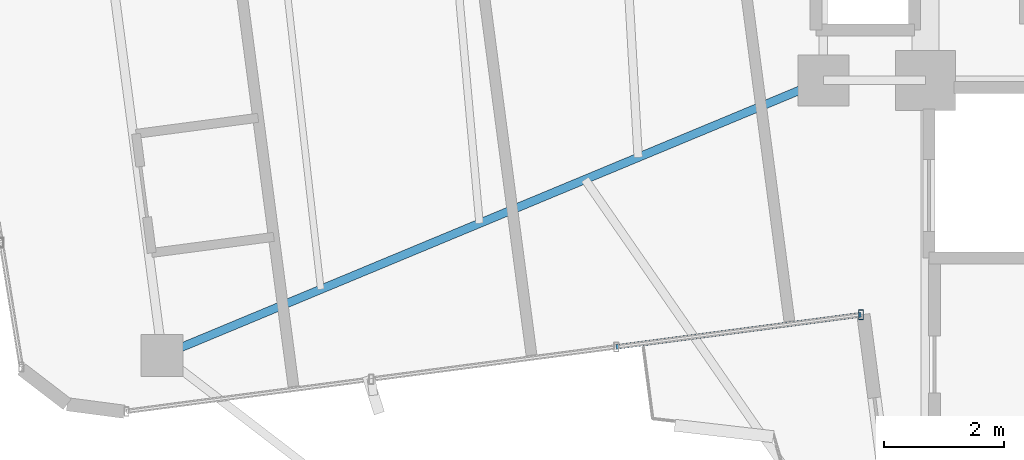
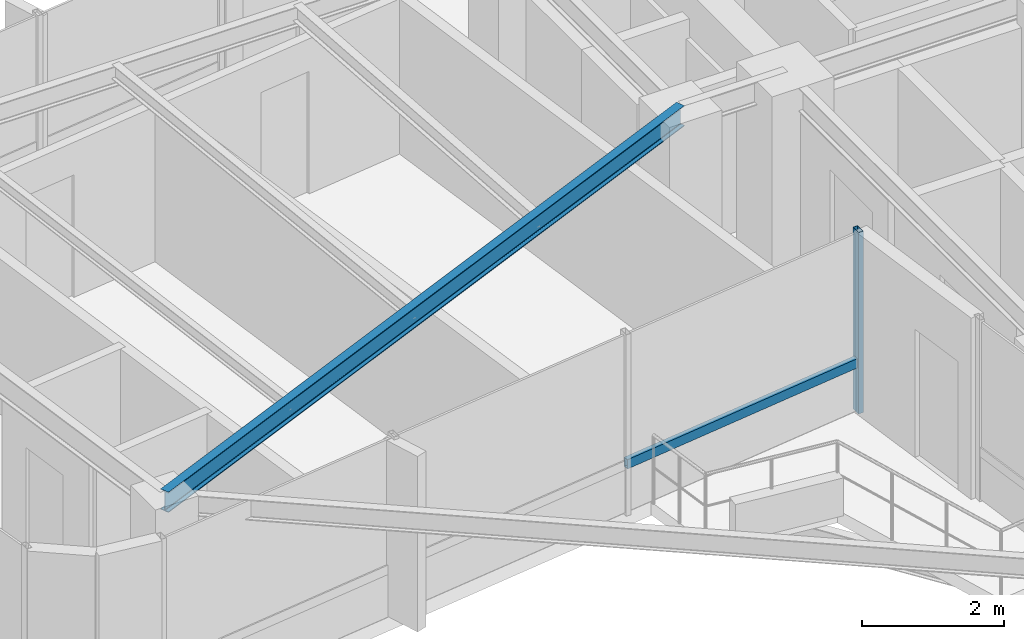
# One storey, part 3 of 22: 2 members, 1 beam, 1 element without a shape of its own.
"""IFC4 building model written with IfcOpenShell, lengths in metres."""

from ifc_helpers import new_model, si_unit, direction, frame, origin, origin_2d, place, context, subcontext, project, spatial, hollow_rectangle, i_section, extrude, source, transform, mapped, material, material_profile, profile_set, type_object, element, aggregate, save


model = new_model("IFC4")

# Units and contexts
model_context = context("Model", 3, precision=1e-05, world=origin(), true_north=direction((0.0, 1.0)))
body_context = subcontext(model_context, "Body", "Model", "MODEL_VIEW")
ifc_project = project(units=[si_unit("LENGTHUNIT", "METRE"), si_unit("AREAUNIT", "SQUARE_METRE"), si_unit("VOLUMEUNIT", "CUBIC_METRE"), si_unit("PLANEANGLEUNIT", "RADIAN"), si_unit("MASSUNIT", "GRAM", prefix="KILO")], contexts=[model_context])

# Site, building, storey
site_placement = place(None, origin())
site = spatial("IfcSite", under=ifc_project, at=site_placement, CompositionType="ELEMENT")
building_placement = place(site_placement, origin())
building = spatial("IfcBuilding", under=site, at=building_placement, Name="Sahyath Konkavel Grand Hotel", CompositionType="ELEMENT")
storey_placement = place(building_placement, frame((0.0, 0.0, 247.85009765625)))
storey = spatial("IfcBuildingStorey", under=building, at=storey_placement, Name="L69", CompositionType="ELEMENT", Elevation=247.85009765625)

# Beam
ifc_material_1 = material(Name="Steel E350", Category="steel")
ifc_material_profile_1 = material_profile(ifc_material_1, i_section(OverallWidth=0.139892578125, OverallDepth=0.35009765625, WebThickness=0.008056640625, FlangeThickness=0.01416015625, FilletRadius=0.013916015625, at=origin_2d()), Name="ISMB 350")
ifc_profile_set_1 = profile_set([ifc_material_profile_1], Name="Steel E350")
beam_type = type_object("IfcBeamType", Name="BM-ISMB350", PredefinedType="BEAM", material=ifc_profile_set_1)
shared_shape_1 = source(origin(), body_context, "Body", "SweptSolid", [
    extrude(i_section(OverallWidth=0.139892578125, OverallDepth=0.35009765625, WebThickness=0.008056640625, FlangeThickness=0.01416015625, FilletRadius=0.013916015625, at=origin_2d()), origin(), (0.0, 0.0, 1.0), 11.92431640625),
])
beam_placement = place(storey_placement, frame((-5.5, -2.39990234375, 2.934814453125), z_axis=(-0.92336923215, -0.38391309058, 0.0), x_axis=(0.38391309058, -0.92336923215, 0.0)))
element("IfcBeam", 1, at=beam_placement, inside=storey, type_object=beam_type, Name="L69 Cruciform Radial Girder WB", PredefinedType="BEAM", context=body_context, shape_type="MappedRepresentation", body=[
    mapped(shared_shape_1, transform((0.0, 0.0, 0.0), scale=1.0)),
])

# Curtain wall, members
ifc_material_2 = material(Name="Anodised Bronze Aluminium & Low-E Glazing", Category="aluminium")
curtain_wall_type = type_object("IfcCurtainWallType", Name="CW-ZONE4", PredefinedType="NOTDEFINED", material=ifc_material_2)
curtain_wall_placement = place(storey_placement, origin())
curtain_wall = element("IfcCurtainWall", 2, at=curtain_wall_placement, inside=storey, type_object=curtain_wall_type, Name="L69 Unitised Curtain Wall F23", PredefinedType="NOTDEFINED")
ifc_material_3 = material(Name="Anodised Bronze Aluminium", Category="aluminium")
ifc_material_profile_2 = material_profile(ifc_material_3, hollow_rectangle(XDim=0.080078125, YDim=0.159912109375, WallThickness=0.006103515625, at=origin_2d()), Name="RHS 160x80x6")
ifc_profile_set_2 = profile_set([ifc_material_profile_2], Name="Anodised Bronze Aluminium")
member_type_1 = type_object("IfcMemberType", Name="CW-MUL-160", PredefinedType="MULLION", material=ifc_profile_set_2)
shared_shape_2 = source(origin(), body_context, "Body", "SweptSolid", [
    extrude(hollow_rectangle(XDim=0.080078125, YDim=0.159912109375, WallThickness=0.006103515625, at=origin_2d()), origin(), (0.0, 0.0, 1.0), 3.10986328125),
])
member_1_placement = place(storey_placement, frame((-4.8720703125, -6.302734375, 0.0), z_axis=(0.0, 0.0, 1.0), x_axis=(1.0, 0.0, 0.0)))
member_1 = element("IfcMember", 3, at=member_1_placement, type_object=member_type_1, Name="L69 Curtain Wall Mullion F23-3", PredefinedType="MULLION", context=body_context, shape_type="MappedRepresentation", body=[
    mapped(shared_shape_2, transform((0.0, 0.0, 0.0), scale=1.0)),
])
ifc_material_profile_3 = material_profile(ifc_material_3, hollow_rectangle(XDim=0.080078125, YDim=0.159912109375, WallThickness=0.006103515625, at=origin_2d()), Name="RHS 160x80x6")
ifc_profile_set_3 = profile_set([ifc_material_profile_3], Name="Anodised Bronze Aluminium")
member_type_2 = type_object("IfcMemberType", Name="CW-TRN-160", PredefinedType="USERDEFINED", material=ifc_profile_set_3)
shared_shape_3 = source(origin(), body_context, "Body", "SweptSolid", [
    extrude(hollow_rectangle(XDim=0.080078125, YDim=0.159912109375, WallThickness=0.006103515625, at=origin_2d()), origin(), (0.0, 0.0, 1.0), 4.1123046875),
])
member_2_placement = place(storey_placement, frame((-8.94921875, -6.839599609375, 0.849853515625), z_axis=(0.991441762714, 0.130549726719, 0.0), x_axis=(-0.130549726719, 0.991441762714, 0.0)))
member_2 = element("IfcMember", 4, at=member_2_placement, type_object=member_type_2, Name="L69 Curtain Wall Transom F23-2-spandrel", ObjectType="TRANSOM", PredefinedType="USERDEFINED", context=body_context, shape_type="MappedRepresentation", body=[
    mapped(shared_shape_3, transform((0.0, 0.0, 0.0), scale=1.0)),
])
aggregate(curtain_wall, [member_1, member_2])

save(model, "model.ifc")
